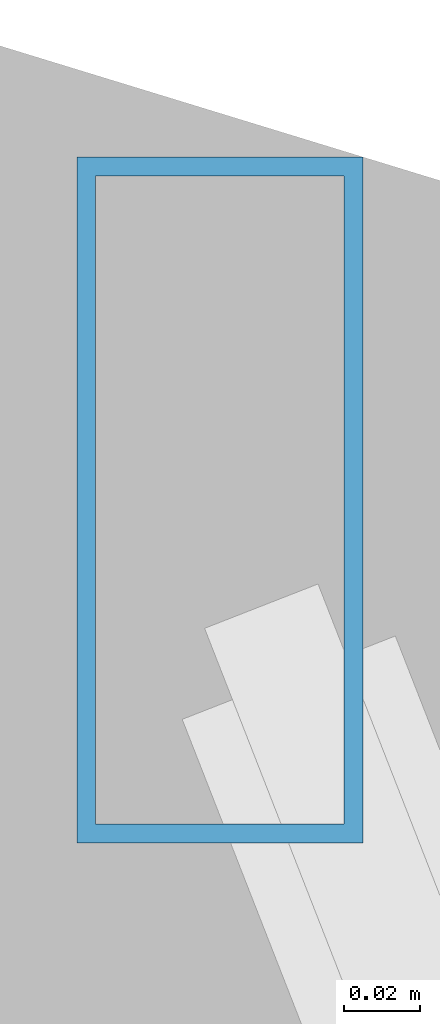
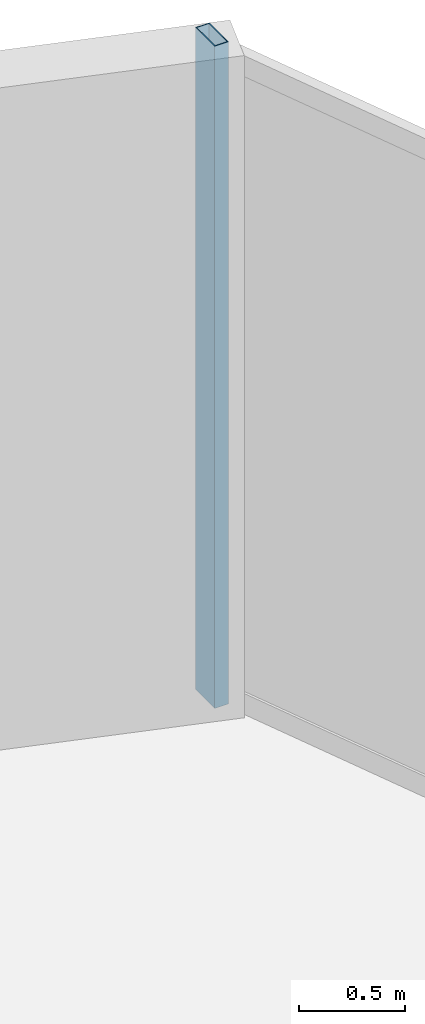
# One storey, part 23 of 30: 1 member, 1 element without a shape of its own.
"""IFC4 building model written with IfcOpenShell, lengths in metres."""

from ifc_helpers import new_model, si_unit, direction, frame, origin, origin_2d, place, context, subcontext, project, spatial, hollow_rectangle, extrude, material, layer, layer_set, material_profile, profile_set, type_object, element, aggregate, save


model = new_model("IFC4")

# Units and contexts
model_context = context("Model", 3, precision=1e-05, world=origin(), true_north=direction((0.0, 1.0)))
body_context = subcontext(model_context, "Body", "Model", "MODEL_VIEW")
ifc_project = project(units=[si_unit("LENGTHUNIT", "METRE"), si_unit("AREAUNIT", "SQUARE_METRE"), si_unit("VOLUMEUNIT", "CUBIC_METRE"), si_unit("PLANEANGLEUNIT", "RADIAN"), si_unit("MASSUNIT", "GRAM", prefix="KILO")], contexts=[model_context])

# Site, building, storey
site_placement = place(None, origin())
site = spatial("IfcSite", under=ifc_project, at=site_placement, CompositionType="ELEMENT")
building_placement = place(site_placement, origin())
building = spatial("IfcBuilding", under=site, at=building_placement, Name="Veymaron Broadcast Tower", CompositionType="ELEMENT")
storey_placement = place(building_placement, frame((0.0, 0.0, 54.0)))
storey = spatial("IfcBuildingStorey", under=building, at=storey_placement, Name="L11", CompositionType="ELEMENT", Elevation=54.0)

# Curtain wall, member
ifc_material_1 = material(Name="Anodised aluminium AA 6063-T6 and laminated low-E dark glass", Category="aluminium")
ifc_layer = layer(ifc_material_1, 0.179931640625)
ifc_layer_set = layer_set([ifc_layer], Name="Anodised aluminium AA 6063-T6 and laminated low-E dark glass")
curtain_wall_type = type_object("IfcCurtainWallType", Name="CW-SYS-02", PredefinedType="NOTDEFINED", material=ifc_layer_set)
curtain_wall_placement = place(storey_placement, origin())
curtain_wall = element("IfcCurtainWall", 1, at=curtain_wall_placement, inside=storey, type_object=curtain_wall_type, Name="L11 dark-glass curtain wall CW-L11-E5-1", PredefinedType="NOTDEFINED")
ifc_material_2 = material(Name="Anodised aluminium AA 6063-T6", Category="aluminium")
ifc_material_profile = material_profile(ifc_material_2, hollow_rectangle(XDim=0.074951171875, YDim=0.179931640625, WallThickness=0.0048828125, at=origin_2d()), Name="AL180X75X5")
ifc_profile_set = profile_set([ifc_material_profile], Name="Anodised aluminium AA 6063-T6")
member_type = type_object("IfcMemberType", Name="CW-MUL-02", PredefinedType="MULLION", material=ifc_profile_set)
member_placement = place(storey_placement, frame((41.6220703125, 44.052978515625, 0.0), z_axis=(0.0, 0.0, 1.0), x_axis=(1.0, 0.0, 0.0)))
member = element("IfcMember", 2, at=member_placement, type_object=member_type, Name="CW-L11-E5-1 mullion 2", PredefinedType="MULLION", context=body_context, shape_type="SweptSolid", body=[
    extrude(hollow_rectangle(XDim=0.074951171875, YDim=0.179931640625, WallThickness=0.0048828125, at=origin_2d()), origin(), (0.0, 0.0, 1.0), 3.81005859375),
])
aggregate(curtain_wall, [member])

save(model, "model.ifc")
